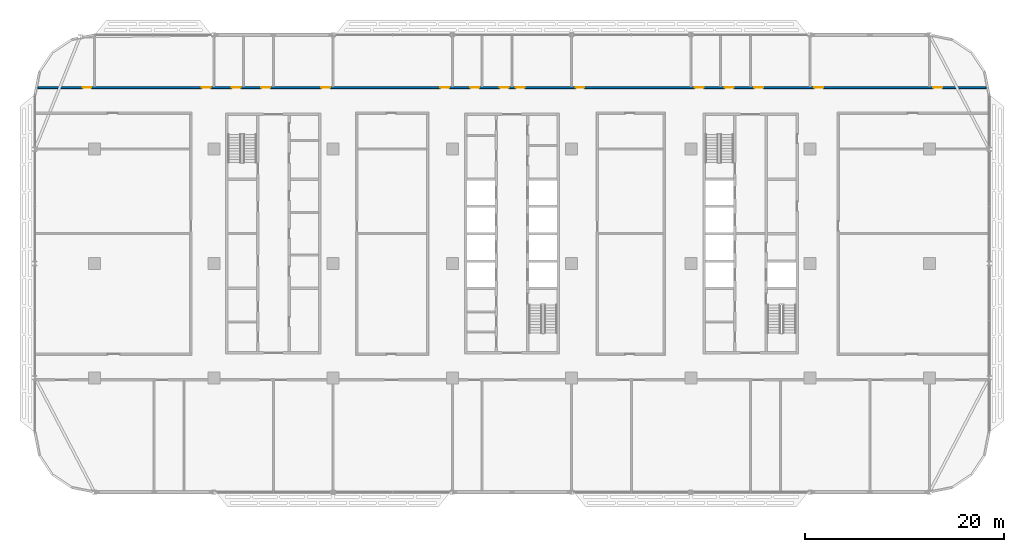
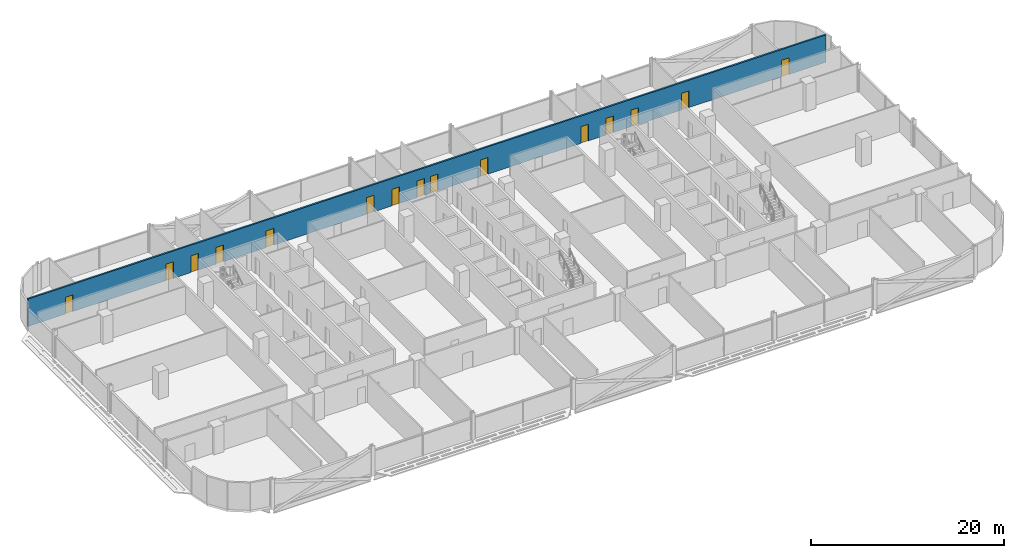
# One storey, part 14 of 27: 15 doors, 1 wall, 15 openings.
"""IFC4 building model written with IfcOpenShell, lengths in metres."""

from ifc_helpers import new_model, si_unit, direction, frame, frame_2d, origin, place, context, subcontext, project, spatial, rectangle, extrude, material, layer, layer_set, type_object, element, fill, save


model = new_model("IFC4")

# Units and contexts
model_context = context("Model", 3, precision=1e-05, world=origin(), true_north=direction((0.0, 1.0)))
body_context = subcontext(model_context, "Body", "Model", "MODEL_VIEW")
ifc_project = project(units=[si_unit("LENGTHUNIT", "METRE"), si_unit("AREAUNIT", "SQUARE_METRE"), si_unit("VOLUMEUNIT", "CUBIC_METRE"), si_unit("PLANEANGLEUNIT", "RADIAN"), si_unit("MASSUNIT", "GRAM", prefix="KILO")], contexts=[model_context])

# Site, building, storey
site_placement = place(None, origin())
site = spatial("IfcSite", under=ifc_project, at=site_placement, CompositionType="ELEMENT")
building_placement = place(site_placement, origin())
building = spatial("IfcBuilding", under=site, at=building_placement, Name="Mahtab Terrace Research Tower", CompositionType="ELEMENT")
storey_placement = place(building_placement, frame((0.0, 0.0, 166.800048828125)))
storey = spatial("IfcBuildingStorey", under=building, at=storey_placement, Name="L39", CompositionType="ELEMENT", Elevation=166.800048828125)

# Wall, openings, doors
ifc_material_1 = material(Name="Gypsum board corridor wall on steel studs", Category="steel")
ifc_layer = layer(ifc_material_1, 0.199951171875)
ifc_layer_set = layer_set([ifc_layer], Name="WALL CORRIDOR 200")
wall_type = type_object("IfcWallType", Name="WALL CORRIDOR 200", PredefinedType="PARTITIONING", material=ifc_layer_set)
wall_placement = place(storey_placement, frame((-47.707763671875, 17.699951171875, 0.0), z_axis=(0.0, 0.0, 1.0), x_axis=(1.0, 0.0, 0.0)))
wall = element("IfcWall", 1, at=wall_placement, inside=storey, type_object=wall_type, Name="L39-W028", PredefinedType="PARTITIONING", context=body_context, shape_type="SweptSolid", body=[
    extrude(rectangle(XDim=95.41552734375, YDim=0.199951171875, at=frame_2d((47.707763671875, 0.0))), origin(), (0.0, 0.0, 1.0), 3.4599609375),
])
opening_1_placement = place(wall_placement, frame((4.5, 0.0, 0.0)))
opening_1 = element("IfcOpeningElement", 2, at=opening_1_placement, cuts=wall, Name="Opening L39-126", PredefinedType="OPENING", context=body_context, shape_type="SweptSolid", body=[
    extrude(rectangle(XDim=0.89990234375, YDim=2.10009765625, at=frame_2d((0.449951171875, 1.050048828125))), frame((0.0, 0.10986328125, 0.0), z_axis=(0.0, -1.0, 0.0), x_axis=(1.0, 0.0, 0.0)), (0.0, 0.0, 1.0), 0.219970703125),
])
opening_2_placement = place(wall_placement, frame((16.5, 0.0, 0.0)))
opening_2 = element("IfcOpeningElement", 3, at=opening_2_placement, cuts=wall, Name="Opening L39-127", PredefinedType="OPENING", context=body_context, shape_type="SweptSolid", body=[
    extrude(rectangle(XDim=0.89990234375, YDim=2.10009765625, at=frame_2d((0.449951171875, 1.050048828125))), frame((0.0, 0.10986328125, 0.0), z_axis=(0.0, -1.0, 0.0), x_axis=(1.0, 0.0, 0.0)), (0.0, 0.0, 1.0), 0.219970703125),
])
opening_3_placement = place(wall_placement, frame((19.5, 0.0, 0.0)))
opening_3 = element("IfcOpeningElement", 4, at=opening_3_placement, cuts=wall, Name="Opening L39-128", PredefinedType="OPENING", context=body_context, shape_type="SweptSolid", body=[
    extrude(rectangle(XDim=0.89990234375, YDim=2.10009765625, at=frame_2d((0.449951171875, 1.050048828125))), frame((0.0, 0.10986328125, 0.0), z_axis=(0.0, -1.0, 0.0), x_axis=(1.0, 0.0, 0.0)), (0.0, 0.0, 1.0), 0.219970703125),
])
opening_4_placement = place(wall_placement, frame((22.5, 0.0, 0.0)))
opening_4 = element("IfcOpeningElement", 5, at=opening_4_placement, cuts=wall, Name="Opening L39-129", PredefinedType="OPENING", context=body_context, shape_type="SweptSolid", body=[
    extrude(rectangle(XDim=0.89990234375, YDim=2.10009765625, at=frame_2d((0.449951171875, 1.050048828125))), frame((0.0, 0.10986328125, 0.0), z_axis=(0.0, -1.0, 0.0), x_axis=(1.0, 0.0, 0.0)), (0.0, 0.0, 1.0), 0.219970703125),
])
opening_5_placement = place(wall_placement, frame((28.5, 0.0, 0.0)))
opening_5 = element("IfcOpeningElement", 6, at=opening_5_placement, cuts=wall, Name="Opening L39-130", PredefinedType="OPENING", context=body_context, shape_type="SweptSolid", body=[
    extrude(rectangle(XDim=0.89990234375, YDim=2.10009765625, at=frame_2d((0.449951171875, 1.050048828125))), frame((0.0, 0.10986328125, 0.0), z_axis=(0.0, -1.0, 0.0), x_axis=(1.0, 0.0, 0.0)), (0.0, 0.0, 1.0), 0.219970703125),
])
opening_6_placement = place(wall_placement, frame((40.5, 0.0, 0.0)))
opening_6 = element("IfcOpeningElement", 7, at=opening_6_placement, cuts=wall, Name="Opening L39-131", PredefinedType="OPENING", context=body_context, shape_type="SweptSolid", body=[
    extrude(rectangle(XDim=0.89990234375, YDim=2.10009765625, at=frame_2d((0.449951171875, 1.050048828125))), frame((0.0, 0.10986328125, 0.0), z_axis=(0.0, -1.0, 0.0), x_axis=(1.0, 0.0, 0.0)), (0.0, 0.0, 1.0), 0.219970703125),
])
opening_7_placement = place(wall_placement, frame((43.5, 0.0, 0.0)))
opening_7 = element("IfcOpeningElement", 8, at=opening_7_placement, cuts=wall, Name="Opening L39-132", PredefinedType="OPENING", context=body_context, shape_type="SweptSolid", body=[
    extrude(rectangle(XDim=0.89990234375, YDim=2.10009765625, at=frame_2d((0.449951171875, 1.050048828125))), frame((0.0, 0.10986328125, 0.0), z_axis=(0.0, -1.0, 0.0), x_axis=(1.0, 0.0, 0.0)), (0.0, 0.0, 1.0), 0.219970703125),
])
opening_8_placement = place(wall_placement, frame((46.5, 0.0, 0.0)))
opening_8 = element("IfcOpeningElement", 9, at=opening_8_placement, cuts=wall, Name="Opening L39-133", PredefinedType="OPENING", context=body_context, shape_type="SweptSolid", body=[
    extrude(rectangle(XDim=0.89990234375, YDim=2.10009765625, at=frame_2d((0.449951171875, 1.050048828125))), frame((0.0, 0.10986328125, 0.0), z_axis=(0.0, -1.0, 0.0), x_axis=(1.0, 0.0, 0.0)), (0.0, 0.0, 1.0), 0.219970703125),
])
opening_9_placement = place(wall_placement, frame((48.10009765625, 0.0, 0.0)))
opening_9 = element("IfcOpeningElement", 10, at=opening_9_placement, cuts=wall, Name="Opening L39-134", PredefinedType="OPENING", context=body_context, shape_type="SweptSolid", body=[
    extrude(rectangle(XDim=0.89990234375, YDim=2.10009765625, at=frame_2d((0.449951171875, 1.050048828125))), frame((0.0, 0.10986328125, 0.0), z_axis=(0.0, -1.0, 0.0), x_axis=(1.0, 0.0, 0.0)), (0.0, 0.0, 1.0), 0.219970703125),
])
opening_10_placement = place(wall_placement, frame((54.10009765625, 0.0, 0.0)))
opening_10 = element("IfcOpeningElement", 11, at=opening_10_placement, cuts=wall, Name="Opening L39-135", PredefinedType="OPENING", context=body_context, shape_type="SweptSolid", body=[
    extrude(rectangle(XDim=0.89990234375, YDim=2.10009765625, at=frame_2d((0.449951171875, 1.050048828125))), frame((0.0, 0.10986328125, 0.0), z_axis=(0.0, -1.0, 0.0), x_axis=(1.0, 0.0, 0.0)), (0.0, 0.0, 1.0), 0.219970703125),
])
opening_11_placement = place(wall_placement, frame((66.10009765625, 0.0, 0.0)))
opening_11 = element("IfcOpeningElement", 12, at=opening_11_placement, cuts=wall, Name="Opening L39-136", PredefinedType="OPENING", context=body_context, shape_type="SweptSolid", body=[
    extrude(rectangle(XDim=0.89990234375, YDim=2.10009765625, at=frame_2d((0.449951171875, 1.050048828125))), frame((0.0, 0.10986328125, 0.0), z_axis=(0.0, -1.0, 0.0), x_axis=(1.0, 0.0, 0.0)), (0.0, 0.0, 1.0), 0.219970703125),
])
opening_12_placement = place(wall_placement, frame((69.10009765625, 0.0, 0.0)))
opening_12 = element("IfcOpeningElement", 13, at=opening_12_placement, cuts=wall, Name="Opening L39-137", PredefinedType="OPENING", context=body_context, shape_type="SweptSolid", body=[
    extrude(rectangle(XDim=0.89990234375, YDim=2.10009765625, at=frame_2d((0.449951171875, 1.050048828125))), frame((0.0, 0.10986328125, 0.0), z_axis=(0.0, -1.0, 0.0), x_axis=(1.0, 0.0, 0.0)), (0.0, 0.0, 1.0), 0.219970703125),
])
opening_13_placement = place(wall_placement, frame((72.10009765625, 0.0, 0.0)))
opening_13 = element("IfcOpeningElement", 14, at=opening_13_placement, cuts=wall, Name="Opening L39-138", PredefinedType="OPENING", context=body_context, shape_type="SweptSolid", body=[
    extrude(rectangle(XDim=0.89990234375, YDim=2.10009765625, at=frame_2d((0.449951171875, 1.050048828125))), frame((0.0, 0.10986328125, 0.0), z_axis=(0.0, -1.0, 0.0), x_axis=(1.0, 0.0, 0.0)), (0.0, 0.0, 1.0), 0.219970703125),
])
opening_14_placement = place(wall_placement, frame((78.10009765625, 0.0, 0.0)))
opening_14 = element("IfcOpeningElement", 15, at=opening_14_placement, cuts=wall, Name="Opening L39-139", PredefinedType="OPENING", context=body_context, shape_type="SweptSolid", body=[
    extrude(rectangle(XDim=0.89990234375, YDim=2.10009765625, at=frame_2d((0.449951171875, 1.050048828125))), frame((0.0, 0.10986328125, 0.0), z_axis=(0.0, -1.0, 0.0), x_axis=(1.0, 0.0, 0.0)), (0.0, 0.0, 1.0), 0.219970703125),
])
opening_15_placement = place(wall_placement, frame((90.10009765625, 0.0, 0.0)))
opening_15 = element("IfcOpeningElement", 16, at=opening_15_placement, cuts=wall, Name="Opening L39-140", PredefinedType="OPENING", context=body_context, shape_type="SweptSolid", body=[
    extrude(rectangle(XDim=0.89990234375, YDim=2.10009765625, at=frame_2d((0.449951171875, 1.050048828125))), frame((0.0, 0.10986328125, 0.0), z_axis=(0.0, -1.0, 0.0), x_axis=(1.0, 0.0, 0.0)), (0.0, 0.0, 1.0), 0.219970703125),
])
ifc_material_2 = material(Name="Timber door leaf in steel frame", Category="steel")
door_type = type_object("IfcDoorType", Name="DOOR 0900X2100 FD30S", OperationType="SINGLE_SWING_LEFT", PredefinedType="DOOR", material=ifc_material_2)
door_1_placement = place(opening_1_placement, origin())
door_1 = element("IfcDoor", 17, at=door_1_placement, inside=storey, type_object=door_type, Name="Door L39-126", OperationType="SINGLE_SWING_LEFT", OverallHeight=2.10009765625, OverallWidth=0.89990234375, PredefinedType="DOOR", context=body_context, shape_type="SweptSolid", body=[
    extrude(rectangle(XDim=0.89990234375, YDim=2.10009765625, at=frame_2d((0.449951171875, 1.050048828125))), frame((0.0, 0.02490234375, 0.0), z_axis=(0.0, -1.0, 0.0), x_axis=(1.0, 0.0, 0.0)), (0.0, 0.0, 1.0), 0.050048828125),
])
fill(opening_1, door_1)
door_2_placement = place(opening_2_placement, origin())
door_2 = element("IfcDoor", 18, at=door_2_placement, inside=storey, type_object=door_type, Name="Door L39-127", OperationType="SINGLE_SWING_LEFT", OverallHeight=2.10009765625, OverallWidth=0.89990234375, PredefinedType="DOOR", context=body_context, shape_type="SweptSolid", body=[
    extrude(rectangle(XDim=0.89990234375, YDim=2.10009765625, at=frame_2d((0.449951171875, 1.050048828125))), frame((0.0, 0.02490234375, 0.0), z_axis=(0.0, -1.0, 0.0), x_axis=(1.0, 0.0, 0.0)), (0.0, 0.0, 1.0), 0.050048828125),
])
fill(opening_2, door_2)
door_3_placement = place(opening_3_placement, origin())
door_3 = element("IfcDoor", 19, at=door_3_placement, inside=storey, type_object=door_type, Name="Door L39-128", OperationType="SINGLE_SWING_LEFT", OverallHeight=2.10009765625, OverallWidth=0.89990234375, PredefinedType="DOOR", context=body_context, shape_type="SweptSolid", body=[
    extrude(rectangle(XDim=0.89990234375, YDim=2.10009765625, at=frame_2d((0.449951171875, 1.050048828125))), frame((0.0, 0.02490234375, 0.0), z_axis=(0.0, -1.0, 0.0), x_axis=(1.0, 0.0, 0.0)), (0.0, 0.0, 1.0), 0.050048828125),
])
fill(opening_3, door_3)
door_4_placement = place(opening_4_placement, origin())
door_4 = element("IfcDoor", 20, at=door_4_placement, inside=storey, type_object=door_type, Name="Door L39-129", OperationType="SINGLE_SWING_LEFT", OverallHeight=2.10009765625, OverallWidth=0.89990234375, PredefinedType="DOOR", context=body_context, shape_type="SweptSolid", body=[
    extrude(rectangle(XDim=0.89990234375, YDim=2.10009765625, at=frame_2d((0.449951171875, 1.050048828125))), frame((0.0, 0.02490234375, 0.0), z_axis=(0.0, -1.0, 0.0), x_axis=(1.0, 0.0, 0.0)), (0.0, 0.0, 1.0), 0.050048828125),
])
fill(opening_4, door_4)
door_5_placement = place(opening_5_placement, origin())
door_5 = element("IfcDoor", 21, at=door_5_placement, inside=storey, type_object=door_type, Name="Door L39-130", OperationType="SINGLE_SWING_LEFT", OverallHeight=2.10009765625, OverallWidth=0.89990234375, PredefinedType="DOOR", context=body_context, shape_type="SweptSolid", body=[
    extrude(rectangle(XDim=0.89990234375, YDim=2.10009765625, at=frame_2d((0.449951171875, 1.050048828125))), frame((0.0, 0.02490234375, 0.0), z_axis=(0.0, -1.0, 0.0), x_axis=(1.0, 0.0, 0.0)), (0.0, 0.0, 1.0), 0.050048828125),
])
fill(opening_5, door_5)
door_6_placement = place(opening_6_placement, origin())
door_6 = element("IfcDoor", 22, at=door_6_placement, inside=storey, type_object=door_type, Name="Door L39-131", OperationType="SINGLE_SWING_LEFT", OverallHeight=2.10009765625, OverallWidth=0.89990234375, PredefinedType="DOOR", context=body_context, shape_type="SweptSolid", body=[
    extrude(rectangle(XDim=0.89990234375, YDim=2.10009765625, at=frame_2d((0.449951171875, 1.050048828125))), frame((0.0, 0.02490234375, 0.0), z_axis=(0.0, -1.0, 0.0), x_axis=(1.0, 0.0, 0.0)), (0.0, 0.0, 1.0), 0.050048828125),
])
fill(opening_6, door_6)
door_7_placement = place(opening_7_placement, origin())
door_7 = element("IfcDoor", 23, at=door_7_placement, inside=storey, type_object=door_type, Name="Door L39-132", OperationType="SINGLE_SWING_LEFT", OverallHeight=2.10009765625, OverallWidth=0.89990234375, PredefinedType="DOOR", context=body_context, shape_type="SweptSolid", body=[
    extrude(rectangle(XDim=0.89990234375, YDim=2.10009765625, at=frame_2d((0.449951171875, 1.050048828125))), frame((0.0, 0.02490234375, 0.0), z_axis=(0.0, -1.0, 0.0), x_axis=(1.0, 0.0, 0.0)), (0.0, 0.0, 1.0), 0.050048828125),
])
fill(opening_7, door_7)
door_8_placement = place(opening_8_placement, origin())
door_8 = element("IfcDoor", 24, at=door_8_placement, inside=storey, type_object=door_type, Name="Door L39-133", OperationType="SINGLE_SWING_LEFT", OverallHeight=2.10009765625, OverallWidth=0.89990234375, PredefinedType="DOOR", context=body_context, shape_type="SweptSolid", body=[
    extrude(rectangle(XDim=0.89990234375, YDim=2.10009765625, at=frame_2d((0.449951171875, 1.050048828125))), frame((0.0, 0.02490234375, 0.0), z_axis=(0.0, -1.0, 0.0), x_axis=(1.0, 0.0, 0.0)), (0.0, 0.0, 1.0), 0.050048828125),
])
fill(opening_8, door_8)
door_9_placement = place(opening_9_placement, origin())
door_9 = element("IfcDoor", 25, at=door_9_placement, inside=storey, type_object=door_type, Name="Door L39-134", OperationType="SINGLE_SWING_RIGHT", OverallHeight=2.10009765625, OverallWidth=0.89990234375, PredefinedType="DOOR", context=body_context, shape_type="SweptSolid", body=[
    extrude(rectangle(XDim=0.89990234375, YDim=2.10009765625, at=frame_2d((0.449951171875, 1.050048828125))), frame((0.0, 0.02490234375, 0.0), z_axis=(0.0, -1.0, 0.0), x_axis=(1.0, 0.0, 0.0)), (0.0, 0.0, 1.0), 0.050048828125),
])
fill(opening_9, door_9)
door_10_placement = place(opening_10_placement, origin())
door_10 = element("IfcDoor", 26, at=door_10_placement, inside=storey, type_object=door_type, Name="Door L39-135", OperationType="SINGLE_SWING_RIGHT", OverallHeight=2.10009765625, OverallWidth=0.89990234375, PredefinedType="DOOR", context=body_context, shape_type="SweptSolid", body=[
    extrude(rectangle(XDim=0.89990234375, YDim=2.10009765625, at=frame_2d((0.449951171875, 1.050048828125))), frame((0.0, 0.02490234375, 0.0), z_axis=(0.0, -1.0, 0.0), x_axis=(1.0, 0.0, 0.0)), (0.0, 0.0, 1.0), 0.050048828125),
])
fill(opening_10, door_10)
door_11_placement = place(opening_11_placement, origin())
door_11 = element("IfcDoor", 27, at=door_11_placement, inside=storey, type_object=door_type, Name="Door L39-136", OperationType="SINGLE_SWING_RIGHT", OverallHeight=2.10009765625, OverallWidth=0.89990234375, PredefinedType="DOOR", context=body_context, shape_type="SweptSolid", body=[
    extrude(rectangle(XDim=0.89990234375, YDim=2.10009765625, at=frame_2d((0.449951171875, 1.050048828125))), frame((0.0, 0.02490234375, 0.0), z_axis=(0.0, -1.0, 0.0), x_axis=(1.0, 0.0, 0.0)), (0.0, 0.0, 1.0), 0.050048828125),
])
fill(opening_11, door_11)
door_12_placement = place(opening_12_placement, origin())
door_12 = element("IfcDoor", 28, at=door_12_placement, inside=storey, type_object=door_type, Name="Door L39-137", OperationType="SINGLE_SWING_RIGHT", OverallHeight=2.10009765625, OverallWidth=0.89990234375, PredefinedType="DOOR", context=body_context, shape_type="SweptSolid", body=[
    extrude(rectangle(XDim=0.89990234375, YDim=2.10009765625, at=frame_2d((0.449951171875, 1.050048828125))), frame((0.0, 0.02490234375, 0.0), z_axis=(0.0, -1.0, 0.0), x_axis=(1.0, 0.0, 0.0)), (0.0, 0.0, 1.0), 0.050048828125),
])
fill(opening_12, door_12)
door_13_placement = place(opening_13_placement, origin())
door_13 = element("IfcDoor", 29, at=door_13_placement, inside=storey, type_object=door_type, Name="Door L39-138", OperationType="SINGLE_SWING_RIGHT", OverallHeight=2.10009765625, OverallWidth=0.89990234375, PredefinedType="DOOR", context=body_context, shape_type="SweptSolid", body=[
    extrude(rectangle(XDim=0.89990234375, YDim=2.10009765625, at=frame_2d((0.449951171875, 1.050048828125))), frame((0.0, 0.02490234375, 0.0), z_axis=(0.0, -1.0, 0.0), x_axis=(1.0, 0.0, 0.0)), (0.0, 0.0, 1.0), 0.050048828125),
])
fill(opening_13, door_13)
door_14_placement = place(opening_14_placement, origin())
door_14 = element("IfcDoor", 30, at=door_14_placement, inside=storey, type_object=door_type, Name="Door L39-139", OperationType="SINGLE_SWING_RIGHT", OverallHeight=2.10009765625, OverallWidth=0.89990234375, PredefinedType="DOOR", context=body_context, shape_type="SweptSolid", body=[
    extrude(rectangle(XDim=0.89990234375, YDim=2.10009765625, at=frame_2d((0.449951171875, 1.050048828125))), frame((0.0, 0.02490234375, 0.0), z_axis=(0.0, -1.0, 0.0), x_axis=(1.0, 0.0, 0.0)), (0.0, 0.0, 1.0), 0.050048828125),
])
fill(opening_14, door_14)
door_15_placement = place(opening_15_placement, origin())
door_15 = element("IfcDoor", 31, at=door_15_placement, inside=storey, type_object=door_type, Name="Door L39-140", OperationType="SINGLE_SWING_RIGHT", OverallHeight=2.10009765625, OverallWidth=0.89990234375, PredefinedType="DOOR", context=body_context, shape_type="SweptSolid", body=[
    extrude(rectangle(XDim=0.89990234375, YDim=2.10009765625, at=frame_2d((0.449951171875, 1.050048828125))), frame((0.0, 0.02490234375, 0.0), z_axis=(0.0, -1.0, 0.0), x_axis=(1.0, 0.0, 0.0)), (0.0, 0.0, 1.0), 0.050048828125),
])
fill(opening_15, door_15)

save(model, "model.ifc")
